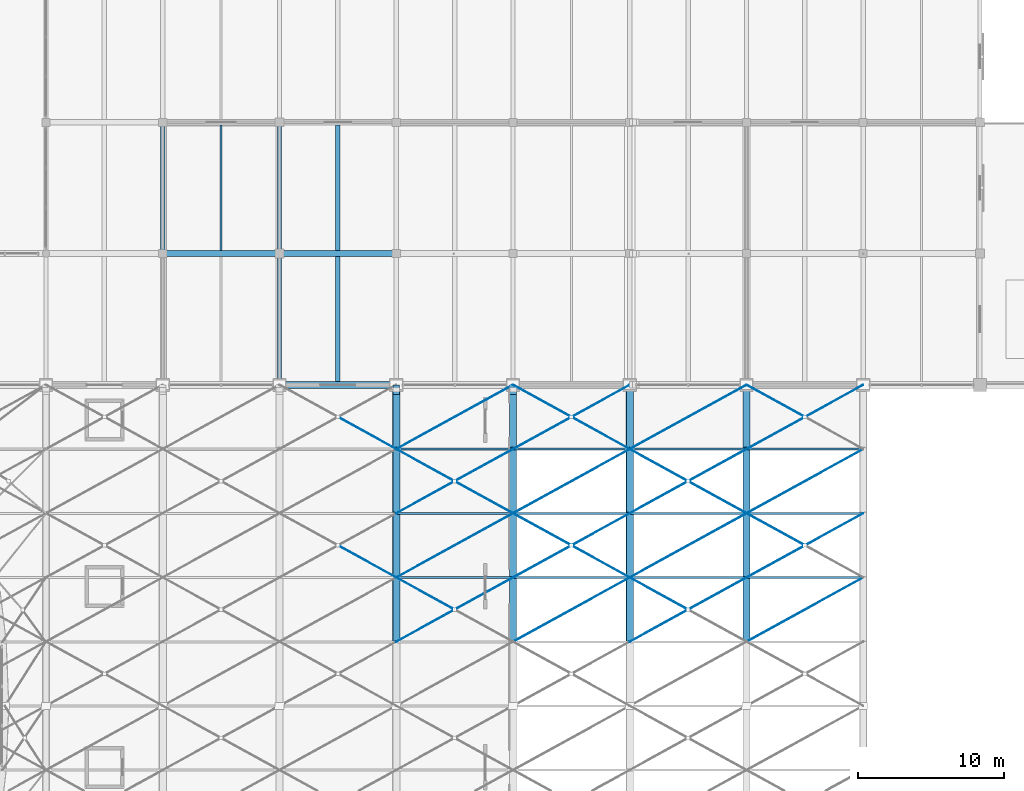
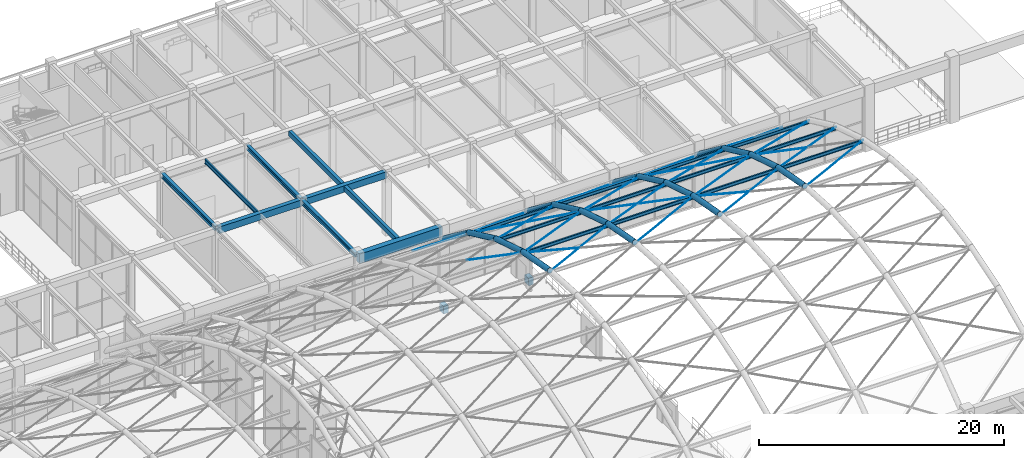
# One storey, part 84 of 163: 39 beams, 30 members.
"""IFC4 building model written with IfcOpenShell, lengths in metres."""

from ifc_helpers import new_model, si_unit, direction, frame, origin, origin_2d, place, context, subcontext, project, spatial, rectangle, circle, hollow_circle, i_section, extrude, material, material_profile, profile_set, type_object, element, save


model = new_model("IFC4")

# Units and contexts
model_context = context("Model", 3, precision=1e-05, world=origin(), true_north=direction((0.0, 1.0)))
body_context = subcontext(model_context, "Body", "Model", "MODEL_VIEW")
ifc_project = project(units=[si_unit("LENGTHUNIT", "METRE"), si_unit("AREAUNIT", "SQUARE_METRE"), si_unit("VOLUMEUNIT", "CUBIC_METRE"), si_unit("PLANEANGLEUNIT", "RADIAN"), si_unit("MASSUNIT", "GRAM", prefix="KILO")], contexts=[model_context])

# Site, building, storey
site_placement = place(None, origin())
site = spatial("IfcSite", under=ifc_project, at=site_placement, CompositionType="ELEMENT")
building_placement = place(site_placement, origin())
building = spatial("IfcBuilding", under=site, at=building_placement, Name="Varnabhumi Central Station", CompositionType="ELEMENT")
storey_placement = place(building_placement, frame((0.0, 0.0, 9.60009765625)))
storey = spatial("IfcBuildingStorey", under=building, at=storey_placement, Name="L02", CompositionType="ELEMENT", Elevation=9.60009765625)

# Beams
ifc_material_1 = material(Name="Structural steel E350", Category="steel")
ifc_material_profile_1 = material_profile(ifc_material_1, hollow_circle(Radius=0.25390625, WallThickness=0.02001953125, at=origin_2d()), Name="Structural steel E350", Category="steel")
ifc_profile_set_1 = profile_set([ifc_material_profile_1], Name="Structural steel E350")
beam_type_1 = type_object("IfcBeamType", Name="BM-ARCH-CHS508", PredefinedType="BEAM", material=ifc_profile_set_1)
beam_1_placement = place(storey_placement, frame((104.0, 62.39990234375, 12.486572265625), z_axis=(0.0, 0.983888247404, -0.17878455364), x_axis=(-1.0, 0.0, 0.0)))
element("IfcBeam", 1, at=beam_1_placement, inside=storey, type_object=beam_type_1, Name="Departure Concourse Vault Arch Rib 5 Seg 7", PredefinedType="BEAM", context=body_context, shape_type="SweptSolid", body=[
    extrude(hollow_circle(Radius=0.25390625, WallThickness=0.02001953125, at=origin_2d()), origin(), (0.0, 0.0, 1.0), 4.47216796875),
])
beam_2_placement = place(storey_placement, frame((104.0, 66.800048828125, 11.68701171875), z_axis=(0.0, 0.954719095828, -0.29750873611), x_axis=(-1.0, 0.0, 0.0)))
element("IfcBeam", 2, at=beam_2_placement, inside=storey, type_object=beam_type_1, Name="Departure Concourse Vault Arch Rib 5 Seg 8", PredefinedType="BEAM", context=body_context, shape_type="SweptSolid", body=[
    extrude(hollow_circle(Radius=0.25390625, WallThickness=0.02001953125, at=origin_2d()), origin(), (0.0, 0.0, 1.0), 4.608642578125),
])
beam_3_placement = place(storey_placement, frame((104.0, 71.199951171875, 10.31591796875), z_axis=(0.0, 0.906832494276, -0.421491194837), x_axis=(-1.0, 0.0, 0.0)))
element("IfcBeam", 3, at=beam_3_placement, inside=storey, type_object=beam_type_1, Name="Departure Concourse Vault Arch Rib 5 Seg 9", PredefinedType="BEAM", context=body_context, shape_type="SweptSolid", body=[
    extrude(hollow_circle(Radius=0.25390625, WallThickness=0.02001953125, at=origin_2d()), origin(), (0.0, 0.0, 1.0), 4.852294921875),
])
beam_4_placement = place(storey_placement, frame((104.0, 75.60009765625, 8.270751953125), z_axis=(0.0, 0.798178703242, -0.602420748058), x_axis=(-1.0, 0.0, 0.0)))
element("IfcBeam", 4, at=beam_4_placement, inside=storey, type_object=beam_type_1, Name="Departure Concourse Vault Arch Rib 5 Seg 10", PredefinedType="BEAM", context=body_context, shape_type="SweptSolid", body=[
    extrude(hollow_circle(Radius=0.25390625, WallThickness=0.02001953125, at=origin_2d()), origin(), (0.0, 0.0, 1.0), 5.512451171875),
])
beam_5_placement = place(storey_placement, frame((112.0, 62.39990234375, 12.486572265625), z_axis=(0.0, 0.983888247404, -0.17878455364), x_axis=(-1.0, 0.0, 0.0)))
element("IfcBeam", 5, at=beam_5_placement, inside=storey, type_object=beam_type_1, Name="Departure Concourse Vault Arch Rib 6 Seg 7", PredefinedType="BEAM", context=body_context, shape_type="SweptSolid", body=[
    extrude(hollow_circle(Radius=0.25390625, WallThickness=0.02001953125, at=origin_2d()), origin(), (0.0, 0.0, 1.0), 4.47216796875),
])
beam_6_placement = place(storey_placement, frame((112.0, 66.800048828125, 11.68701171875), z_axis=(0.0, 0.954719095828, -0.29750873611), x_axis=(-1.0, 0.0, 0.0)))
element("IfcBeam", 6, at=beam_6_placement, inside=storey, type_object=beam_type_1, Name="Departure Concourse Vault Arch Rib 6 Seg 8", PredefinedType="BEAM", context=body_context, shape_type="SweptSolid", body=[
    extrude(hollow_circle(Radius=0.25390625, WallThickness=0.02001953125, at=origin_2d()), origin(), (0.0, 0.0, 1.0), 4.608642578125),
])
beam_7_placement = place(storey_placement, frame((112.0, 71.199951171875, 10.31591796875), z_axis=(0.0, 0.906832494276, -0.421491194837), x_axis=(-1.0, 0.0, 0.0)))
element("IfcBeam", 7, at=beam_7_placement, inside=storey, type_object=beam_type_1, Name="Departure Concourse Vault Arch Rib 6 Seg 9", PredefinedType="BEAM", context=body_context, shape_type="SweptSolid", body=[
    extrude(hollow_circle(Radius=0.25390625, WallThickness=0.02001953125, at=origin_2d()), origin(), (0.0, 0.0, 1.0), 4.852294921875),
])
beam_8_placement = place(storey_placement, frame((112.0, 75.60009765625, 8.270751953125), z_axis=(0.0, 0.798178703242, -0.602420748058), x_axis=(-1.0, 0.0, 0.0)))
element("IfcBeam", 8, at=beam_8_placement, inside=storey, type_object=beam_type_1, Name="Departure Concourse Vault Arch Rib 6 Seg 10", PredefinedType="BEAM", context=body_context, shape_type="SweptSolid", body=[
    extrude(hollow_circle(Radius=0.25390625, WallThickness=0.02001953125, at=origin_2d()), origin(), (0.0, 0.0, 1.0), 5.512451171875),
])
beam_9_placement = place(storey_placement, frame((120.0, 62.39990234375, 12.486572265625), z_axis=(0.0, 0.983888247404, -0.17878455364), x_axis=(-1.0, 0.0, 0.0)))
element("IfcBeam", 9, at=beam_9_placement, inside=storey, type_object=beam_type_1, Name="Departure Concourse Vault Arch Rib 7 Seg 7", PredefinedType="BEAM", context=body_context, shape_type="SweptSolid", body=[
    extrude(hollow_circle(Radius=0.25390625, WallThickness=0.02001953125, at=origin_2d()), origin(), (0.0, 0.0, 1.0), 4.47216796875),
])
beam_10_placement = place(storey_placement, frame((120.0, 66.800048828125, 11.68701171875), z_axis=(0.0, 0.954719095828, -0.29750873611), x_axis=(-1.0, 0.0, 0.0)))
element("IfcBeam", 10, at=beam_10_placement, inside=storey, type_object=beam_type_1, Name="Departure Concourse Vault Arch Rib 7 Seg 8", PredefinedType="BEAM", context=body_context, shape_type="SweptSolid", body=[
    extrude(hollow_circle(Radius=0.25390625, WallThickness=0.02001953125, at=origin_2d()), origin(), (0.0, 0.0, 1.0), 4.608642578125),
])
beam_11_placement = place(storey_placement, frame((120.0, 71.199951171875, 10.31591796875), z_axis=(0.0, 0.906832494276, -0.421491194837), x_axis=(-1.0, 0.0, 0.0)))
element("IfcBeam", 11, at=beam_11_placement, inside=storey, type_object=beam_type_1, Name="Departure Concourse Vault Arch Rib 7 Seg 9", PredefinedType="BEAM", context=body_context, shape_type="SweptSolid", body=[
    extrude(hollow_circle(Radius=0.25390625, WallThickness=0.02001953125, at=origin_2d()), origin(), (0.0, 0.0, 1.0), 4.852294921875),
])
beam_12_placement = place(storey_placement, frame((120.0, 75.60009765625, 8.270751953125), z_axis=(0.0, 0.798178703242, -0.602420748058), x_axis=(-1.0, 0.0, 0.0)))
element("IfcBeam", 12, at=beam_12_placement, inside=storey, type_object=beam_type_1, Name="Departure Concourse Vault Arch Rib 7 Seg 10", PredefinedType="BEAM", context=body_context, shape_type="SweptSolid", body=[
    extrude(hollow_circle(Radius=0.25390625, WallThickness=0.02001953125, at=origin_2d()), origin(), (0.0, 0.0, 1.0), 5.512451171875),
])
beam_13_placement = place(storey_placement, frame((128.0, 62.39990234375, 12.486572265625), z_axis=(0.0, 0.983888247404, -0.17878455364), x_axis=(-1.0, 0.0, 0.0)))
element("IfcBeam", 13, at=beam_13_placement, inside=storey, type_object=beam_type_1, Name="Departure Concourse Vault Arch Rib 8 Seg 7", PredefinedType="BEAM", context=body_context, shape_type="SweptSolid", body=[
    extrude(hollow_circle(Radius=0.25390625, WallThickness=0.02001953125, at=origin_2d()), origin(), (0.0, 0.0, 1.0), 4.47216796875),
])
beam_14_placement = place(storey_placement, frame((128.0, 66.800048828125, 11.68701171875), z_axis=(0.0, 0.954719095828, -0.29750873611), x_axis=(-1.0, 0.0, 0.0)))
element("IfcBeam", 14, at=beam_14_placement, inside=storey, type_object=beam_type_1, Name="Departure Concourse Vault Arch Rib 8 Seg 8", PredefinedType="BEAM", context=body_context, shape_type="SweptSolid", body=[
    extrude(hollow_circle(Radius=0.25390625, WallThickness=0.02001953125, at=origin_2d()), origin(), (0.0, 0.0, 1.0), 4.608642578125),
])
beam_15_placement = place(storey_placement, frame((128.0, 71.199951171875, 10.31591796875), z_axis=(0.0, 0.906832494276, -0.421491194837), x_axis=(-1.0, 0.0, 0.0)))
element("IfcBeam", 15, at=beam_15_placement, inside=storey, type_object=beam_type_1, Name="Departure Concourse Vault Arch Rib 8 Seg 9", PredefinedType="BEAM", context=body_context, shape_type="SweptSolid", body=[
    extrude(hollow_circle(Radius=0.25390625, WallThickness=0.02001953125, at=origin_2d()), origin(), (0.0, 0.0, 1.0), 4.852294921875),
])
beam_16_placement = place(storey_placement, frame((128.0, 75.60009765625, 8.270751953125), z_axis=(0.0, 0.798178703242, -0.602420748058), x_axis=(-1.0, 0.0, 0.0)))
element("IfcBeam", 16, at=beam_16_placement, inside=storey, type_object=beam_type_1, Name="Departure Concourse Vault Arch Rib 8 Seg 10", PredefinedType="BEAM", context=body_context, shape_type="SweptSolid", body=[
    extrude(hollow_circle(Radius=0.25390625, WallThickness=0.02001953125, at=origin_2d()), origin(), (0.0, 0.0, 1.0), 5.512451171875),
])
ifc_material_profile_2 = material_profile(ifc_material_1, i_section(OverallWidth=0.14990234375, OverallDepth=0.449951171875, WebThickness=0.009521484375, FlangeThickness=0.017333984375, FilletRadius=0.014892578125, at=origin_2d()), Name="Structural steel E350", Category="steel")
ifc_profile_set_2 = profile_set([ifc_material_profile_2], Name="Structural steel E350")
beam_type_2 = type_object("IfcBeamType", Name="BM-JST-ISMB450", PredefinedType="JOIST", material=ifc_profile_set_2)
beam_17_placement = place(storey_placement, frame((92.0, 89.199951171875, 6.125), z_axis=(0.0, 1.0, 0.0), x_axis=(-1.0, 0.0, 0.0)))
element("IfcBeam", 17, at=beam_17_placement, inside=storey, type_object=beam_type_2, Name="Secondary Joist L02-12/13:L-M", PredefinedType="JOIST", context=body_context, shape_type="SweptSolid", body=[
    extrude(i_section(OverallWidth=0.14990234375, OverallDepth=0.449951171875, WebThickness=0.009521484375, FlangeThickness=0.017333984375, FilletRadius=0.014892578125, at=origin_2d()), origin(), (0.0, 0.0, 1.0), 8.60009765625),
])
ifc_material_profile_3 = material_profile(ifc_material_1, i_section(OverallWidth=0.139892578125, OverallDepth=0.35009765625, WebThickness=0.008056640625, FlangeThickness=0.01416015625, FilletRadius=0.013916015625, at=origin_2d()), Name="Structural steel E350", Category="steel")
ifc_profile_set_3 = profile_set([ifc_material_profile_3], Name="Structural steel E350")
beam_type_3 = type_object("IfcBeamType", Name="BM-PUR-ISMB350", PredefinedType="LINTEL", material=ifc_profile_set_3)
for number, where, z_axis, x_axis, name in (
    (18, (104.0, 66.800048828125, 11.511962890625), (1.0, 0.0, 0.0), (0.0, 1.0, 0.0), "Departure Concourse Vault Purlin B5-L7"),
    (19, (104.0, 71.199951171875, 10.140869140625), (1.0, 0.0, 0.0), (0.0, 1.0, 0.0), "Departure Concourse Vault Purlin B5-L8"),
    (20, (104.0, 75.60009765625, 8.095703125), (1.0, 0.0, 0.0), (0.0, 1.0, 0.0), "Departure Concourse Vault Purlin B5-L9"),
    (21, (112.0, 66.800048828125, 11.511962890625), (1.0, 0.0, 0.0), (0.0, 1.0, 0.0), "Departure Concourse Vault Purlin B6-L7"),
    (22, (112.0, 71.199951171875, 10.140869140625), (1.0, 0.0, 0.0), (0.0, 1.0, 0.0), "Departure Concourse Vault Purlin B6-L8"),
    (23, (112.0, 75.60009765625, 8.095703125), (1.0, 0.0, 0.0), (0.0, 1.0, 0.0), "Departure Concourse Vault Purlin B6-L9"),
    (24, (120.0, 66.800048828125, 11.511962890625), (1.0, 0.0, 0.0), (0.0, 1.0, 0.0), "Departure Concourse Vault Purlin B7-L7"),
    (25, (120.0, 71.199951171875, 10.140869140625), (1.0, 0.0, 0.0), (0.0, 1.0, 0.0), "Departure Concourse Vault Purlin B7-L8"),
    (26, (120.0, 75.60009765625, 8.095703125), (1.0, 0.0, 0.0), (0.0, 1.0, 0.0), "Departure Concourse Vault Purlin B7-L9"),
    (27, (128.0, 66.800048828125, 11.511962890625), (1.0, 0.0, 0.0), (0.0, 1.0, 0.0), "Departure Concourse Vault Purlin B8-L7"),
    (28, (128.0, 71.199951171875, 10.140869140625), (1.0, 0.0, 0.0), (0.0, 1.0, 0.0), "Departure Concourse Vault Purlin B8-L8"),
    (29, (128.0, 75.60009765625, 8.095703125), (1.0, 0.0, 0.0), (0.0, 1.0, 0.0), "Departure Concourse Vault Purlin B8-L9"),
):
    element("IfcBeam", number, at=place(storey_placement, frame(where, z_axis=z_axis, x_axis=x_axis)), inside=storey, type_object=beam_type_3, Name=name, PredefinedType="LINTEL", context=body_context, shape_type="SweptSolid", body=[
        extrude(i_section(OverallWidth=0.139892578125, OverallDepth=0.35009765625, WebThickness=0.008056640625, FlangeThickness=0.01416015625, FilletRadius=0.013916015625, at=origin_2d()), origin(), (0.0, 0.0, 1.0), 8.0),
    ])
ifc_material_2 = material(Name="Concrete M40", Category="concrete")
ifc_material_profile_4 = material_profile(ifc_material_2, rectangle(XDim=0.300048828125, YDim=0.5, at=origin_2d()), Name="Concrete M40", Category="concrete")
ifc_profile_set_4 = profile_set([ifc_material_profile_4], Name="Concrete M40")
beam_type_4 = type_object("IfcBeamType", Name="BM-RC-300x500", PredefinedType="JOIST", material=ifc_profile_set_4)
beam_18_placement = place(storey_placement, frame((100.0, 80.25, 6.099853515625), z_axis=(0.0, 1.0, 0.0), x_axis=(-1.0, 0.0, 0.0)))
element("IfcBeam", 30, at=beam_18_placement, inside=storey, type_object=beam_type_4, Name="Secondary Joist L02-13/14:K-L", PredefinedType="JOIST", context=body_context, shape_type="SweptSolid", body=[
    extrude(rectangle(XDim=0.300048828125, YDim=0.5, at=origin_2d()), origin(), (0.0, 0.0, 1.0), 8.550048828125),
])
beam_19_placement = place(storey_placement, frame((100.0, 89.199951171875, 6.099853515625), z_axis=(0.0, 1.0, 0.0), x_axis=(-1.0, 0.0, 0.0)))
element("IfcBeam", 31, at=beam_19_placement, inside=storey, type_object=beam_type_4, Name="Secondary Joist L02-13/14:L-M", PredefinedType="JOIST", context=body_context, shape_type="SweptSolid", body=[
    extrude(rectangle(XDim=0.300048828125, YDim=0.5, at=origin_2d()), origin(), (0.0, 0.0, 1.0), 8.60009765625),
])
ifc_material_profile_5 = material_profile(ifc_material_2, rectangle(XDim=0.39990234375, YDim=0.64990234375, at=origin_2d()), Name="Concrete M40", Category="concrete")
ifc_profile_set_5 = profile_set([ifc_material_profile_5], Name="Concrete M40")
beam_type_5 = type_object("IfcBeamType", Name="BM-RC-400x650", PredefinedType="BEAM", material=ifc_profile_set_5)
for number, where, z_axis, x_axis, name in (
    (32, (88.10009765625, 89.0, 6.02490234375), (1.0, 0.0, 0.0), (0.0, 1.0, 0.0), "Beam L02-L:12-13"),
    (33, (96.10009765625, 89.0, 6.02490234375), (1.0, 0.0, 0.0), (0.0, 1.0, 0.0), "Beam L02-L:13-14"),
):
    element("IfcBeam", number, at=place(storey_placement, frame(where, z_axis=z_axis, x_axis=x_axis)), inside=storey, type_object=beam_type_5, Name=name, PredefinedType="BEAM", context=body_context, shape_type="SweptSolid", body=[
        extrude(rectangle(XDim=0.39990234375, YDim=0.64990234375, at=origin_2d()), origin(), (0.0, 0.0, 1.0), 7.7998046875),
    ])
ifc_material_profile_6 = material_profile(ifc_material_2, rectangle(XDim=0.449951171875, YDim=0.75, at=origin_2d()), Name="Concrete M40", Category="concrete")
ifc_profile_set_6 = profile_set([ifc_material_profile_6], Name="Concrete M40")
beam_type_6 = type_object("IfcBeamType", Name="BM-RC-450x750", PredefinedType="BEAM", material=ifc_profile_set_6)
for number, where, z_axis, x_axis, name in (
    (34, (104.0, 80.0, -1.675048828125), (0.0, -1.0, 0.0), (1.0, 0.0, 0.0), "Concourse Bridge 650mm Corbel Seat 104-N"),
    (35, (112.0, 80.0, -1.675048828125), (0.0, -1.0, 0.0), (1.0, 0.0, 0.0), "Concourse Bridge 650mm Corbel Seat 112-N"),
):
    element("IfcBeam", number, at=place(storey_placement, frame(where, z_axis=z_axis, x_axis=x_axis)), inside=storey, type_object=beam_type_6, Name=name, PredefinedType="BEAM", context=body_context, shape_type="SweptSolid", body=[
        extrude(rectangle(XDim=0.449951171875, YDim=0.75, at=origin_2d()), origin(), (0.0, 0.0, 1.0), 0.64990234375),
    ])
ifc_material_profile_7 = material_profile(ifc_material_2, rectangle(XDim=0.5, YDim=0.949951171875, at=origin_2d()), Name="Concrete M40", Category="concrete")
ifc_profile_set_7 = profile_set([ifc_material_profile_7], Name="Concrete M40")
beam_type_7 = type_object("IfcBeamType", Name="BM-RC-950x500", PredefinedType="BEAM", material=ifc_profile_set_7)
beam_20_placement = place(storey_placement, frame((96.10009765625, 80.0, 5.875), z_axis=(1.0, 0.0, 0.0), x_axis=(0.0, 1.0, 0.0)))
element("IfcBeam", 36, at=beam_20_placement, inside=storey, type_object=beam_type_7, Name="Beam L02-K:13-14", PredefinedType="BEAM", context=body_context, shape_type="SweptSolid", body=[
    extrude(rectangle(XDim=0.5, YDim=0.949951171875, at=origin_2d()), origin(), (0.0, 0.0, 1.0), 7.7998046875),
])
ifc_material_profile_8 = material_profile(ifc_material_1, i_section(OverallWidth=0.300048828125, OverallDepth=0.449951171875, WebThickness=0.013916015625, FlangeThickness=0.02587890625, FilletRadius=0.027099609375, at=origin_2d()), Name="Structural steel E350", Category="steel")
ifc_profile_set_8 = profile_set([ifc_material_profile_8], Name="Structural steel E350")
beam_type_8 = type_object("IfcBeamType", Name="BM-STL-WPB450", PredefinedType="BEAM", material=ifc_profile_set_8)
for number, where, z_axis, x_axis, name in (
    (37, (96.0, 80.10009765625, 6.125), (0.0, 1.0, 0.0), (-1.0, 0.0, 0.0), "Beam L02-13:K-L"),
    (38, (88.0, 89.10009765625, 6.125), (0.0, 1.0, 0.0), (-1.0, 0.0, 0.0), "Beam L02-12:L-M"),
    (39, (96.0, 89.10009765625, 6.125), (0.0, 1.0, 0.0), (-1.0, 0.0, 0.0), "Beam L02-13:L-M"),
):
    element("IfcBeam", number, at=place(storey_placement, frame(where, z_axis=z_axis, x_axis=x_axis)), inside=storey, type_object=beam_type_8, Name=name, PredefinedType="BEAM", context=body_context, shape_type="SweptSolid", body=[
        extrude(i_section(OverallWidth=0.300048828125, OverallDepth=0.449951171875, WebThickness=0.013916015625, FlangeThickness=0.02587890625, FilletRadius=0.027099609375, at=origin_2d()), origin(), (0.0, 0.0, 1.0), 8.7998046875),
    ])

# Members
ifc_material_3 = material(Name="Spiral-strand steel S1570", Category="steel")
ifc_material_profile_9 = material_profile(ifc_material_3, circle(Radius=0.027099609375, at=origin_2d()), Name="Spiral-strand steel S1570", Category="steel")
ifc_profile_set_9 = profile_set([ifc_material_profile_9], Name="Spiral-strand steel S1570")
member_type = type_object("IfcMemberType", Name="MBR-CABLE-D54", PredefinedType="USERDEFINED", material=ifc_profile_set_9)
member_1_placement = place(storey_placement, frame((100.0, 69.0, 10.92138671875), z_axis=(0.866504286303, -0.476566780022, 0.148507326412), x_axis=(0.481910537812, 0.876220425204, 0.0)))
element("IfcMember", 40, at=member_1_placement, inside=storey, type_object=member_type, Name="Departure Concourse Vault Cable-Net Split Tie B4-P8B2", ObjectType="TENSION CABLE", PredefinedType="USERDEFINED", context=body_context, shape_type="SweptSolid", body=[
    extrude(circle(Radius=0.027099609375, at=origin_2d()), origin(), (0.0, 0.0, 1.0), 4.6162109375),
])
member_2_placement = place(storey_placement, frame((100.0, 77.800048828125, 6.5302734375), z_axis=(0.823430141181, -0.452876526012, 0.341856190205), x_axis=(0.481910537812, 0.876220425204, 0.0)))
element("IfcMember", 41, at=member_2_placement, inside=storey, type_object=member_type, Name="Departure Concourse Vault Cable-Net Split Tie B4-P10B2", ObjectType="TENSION CABLE", PredefinedType="USERDEFINED", context=body_context, shape_type="SweptSolid", body=[
    extrude(circle(Radius=0.027099609375, at=origin_2d()), origin(), (0.0, 0.0, 1.0), 4.857666015625),
])
member_3_placement = place(storey_placement, frame((104.0, 62.39990234375, 12.406494140625), z_axis=(0.872868515511, 0.480093666231, -0.087238903451), x_axis=(-0.481931067474, 0.876209133828, 0.0)))
element("IfcMember", 42, at=member_3_placement, inside=storey, type_object=member_type, Name="Departure Concourse Vault Cable-Net Tie B5-P7A", ObjectType="TENSION CABLE", PredefinedType="USERDEFINED", context=body_context, shape_type="SweptSolid", body=[
    extrude(circle(Radius=0.027099609375, at=origin_2d()), origin(), (0.0, 0.0, 1.0), 9.165283203125),
])
member_4_placement = place(storey_placement, frame((104.0, 66.800048828125, 11.60693359375), z_axis=(0.872877649429, -0.480072051941, 0.087266454453), x_axis=(0.481910537812, 0.876220425204, 0.0)))
element("IfcMember", 43, at=member_4_placement, inside=storey, type_object=member_type, Name="Departure Concourse Vault Cable-Net Split Tie B5-P7B1", ObjectType="TENSION CABLE", PredefinedType="USERDEFINED", context=body_context, shape_type="SweptSolid", body=[
    extrude(circle(Radius=0.027099609375, at=origin_2d()), origin(), (0.0, 0.0, 1.0), 4.58251953125),
])
member_5_placement = place(storey_placement, frame((104.0, 66.800048828125, 11.60693359375), z_axis=(0.866504286303, 0.476566780022, -0.148507326412), x_axis=(-0.481910537812, 0.876220425204, 0.0)))
element("IfcMember", 44, at=member_5_placement, inside=storey, type_object=member_type, Name="Departure Concourse Vault Cable-Net Tie B5-P8A", ObjectType="TENSION CABLE", PredefinedType="USERDEFINED", context=body_context, shape_type="SweptSolid", body=[
    extrude(circle(Radius=0.027099609375, at=origin_2d()), origin(), (0.0, 0.0, 1.0), 9.232421875),
])
member_6_placement = place(storey_placement, frame((104.0, 71.199951171875, 10.23583984375), z_axis=(0.855025934416, 0.470279919921, -0.218557654623), x_axis=(-0.481931067474, 0.876209133828, 0.0)))
element("IfcMember", 45, at=member_6_placement, inside=storey, type_object=member_type, Name="Departure Concourse Vault Cable-Net Tie B5-P9A", ObjectType="TENSION CABLE", PredefinedType="USERDEFINED", context=body_context, shape_type="SweptSolid", body=[
    extrude(circle(Radius=0.027099609375, at=origin_2d()), origin(), (0.0, 0.0, 1.0), 9.3564453125),
])
for number, where, z_axis, x_axis, name in (
    (46, (104.0, 75.60009765625, 8.19091796875), (0.855015442154, -0.470300241986, 0.218554972641), (0.481951596342, 0.876197842262, 0.0), "Departure Concourse Vault Cable-Net Split Tie B5-P9B1"),
    (47, (108.0, 73.39990234375, 9.21337890625), (0.855036426483, -0.470259597109, 0.218560336554), (0.481910537812, 0.876220425204, 0.0), "Departure Concourse Vault Cable-Net Split Tie B5-P9B2"),
):
    element("IfcMember", number, at=place(storey_placement, frame(where, z_axis=z_axis, x_axis=x_axis)), inside=storey, type_object=member_type, Name=name, ObjectType="TENSION CABLE", PredefinedType="USERDEFINED", context=body_context, shape_type="SweptSolid", body=[
        extrude(circle(Radius=0.027099609375, at=origin_2d()), origin(), (0.0, 0.0, 1.0), 4.67822265625),
    ])
member_7_placement = place(storey_placement, frame((104.0, 75.60009765625, 8.19091796875), z_axis=(0.823437214719, 0.452880416372, -0.341833997553), x_axis=(-0.481910537812, 0.876220425204, 0.0)))
element("IfcMember", 48, at=member_7_placement, inside=storey, type_object=member_type, Name="Departure Concourse Vault Cable-Net Tie B5-P10A", ObjectType="TENSION CABLE", PredefinedType="USERDEFINED", context=body_context, shape_type="SweptSolid", body=[
    extrude(circle(Radius=0.027099609375, at=origin_2d()), origin(), (0.0, 0.0, 1.0), 9.71533203125),
])
member_8_placement = place(storey_placement, frame((112.0, 62.39990234375, 12.406494140625), z_axis=(0.872868515511, 0.480093666231, -0.087238903451), x_axis=(-0.481931067474, 0.876209133828, 0.0)))
element("IfcMember", 49, at=member_8_placement, inside=storey, type_object=member_type, Name="Departure Concourse Vault Cable-Net Tie B6-P7A", ObjectType="TENSION CABLE", PredefinedType="USERDEFINED", context=body_context, shape_type="SweptSolid", body=[
    extrude(circle(Radius=0.027099609375, at=origin_2d()), origin(), (0.0, 0.0, 1.0), 9.165283203125),
])
member_9_placement = place(storey_placement, frame((112.0, 66.800048828125, 11.60693359375), z_axis=(0.866504286303, 0.476566780022, -0.148507326412), x_axis=(-0.481910537812, 0.876220425204, 0.0)))
element("IfcMember", 50, at=member_9_placement, inside=storey, type_object=member_type, Name="Departure Concourse Vault Cable-Net Tie B6-P8A", ObjectType="TENSION CABLE", PredefinedType="USERDEFINED", context=body_context, shape_type="SweptSolid", body=[
    extrude(circle(Radius=0.027099609375, at=origin_2d()), origin(), (0.0, 0.0, 1.0), 9.232421875),
])
for number, where, z_axis, x_axis, name in (
    (51, (112.0, 71.199951171875, 10.23583984375), (0.866504286303, -0.476566780022, 0.148507326412), (0.481910537812, 0.876220425204, 0.0), "Departure Concourse Vault Cable-Net Split Tie B6-P8B1"),
    (52, (116.0, 69.0, 10.92138671875), (0.866504286303, -0.476566780022, 0.148507326412), (0.481910537812, 0.876220425204, 0.0), "Departure Concourse Vault Cable-Net Split Tie B6-P8B2"),
):
    element("IfcMember", number, at=place(storey_placement, frame(where, z_axis=z_axis, x_axis=x_axis)), inside=storey, type_object=member_type, Name=name, ObjectType="TENSION CABLE", PredefinedType="USERDEFINED", context=body_context, shape_type="SweptSolid", body=[
        extrude(circle(Radius=0.027099609375, at=origin_2d()), origin(), (0.0, 0.0, 1.0), 4.6162109375),
    ])
member_10_placement = place(storey_placement, frame((112.0, 71.199951171875, 10.23583984375), z_axis=(0.855025934416, 0.470279919921, -0.218557654623), x_axis=(-0.481931067474, 0.876209133828, 0.0)))
element("IfcMember", 53, at=member_10_placement, inside=storey, type_object=member_type, Name="Departure Concourse Vault Cable-Net Tie B6-P9A", ObjectType="TENSION CABLE", PredefinedType="USERDEFINED", context=body_context, shape_type="SweptSolid", body=[
    extrude(circle(Radius=0.027099609375, at=origin_2d()), origin(), (0.0, 0.0, 1.0), 9.3564453125),
])
member_11_placement = place(storey_placement, frame((112.0, 75.60009765625, 8.19091796875), z_axis=(0.823437214719, 0.452880416372, -0.341833997553), x_axis=(-0.481910537812, 0.876220425204, 0.0)))
element("IfcMember", 54, at=member_11_placement, inside=storey, type_object=member_type, Name="Departure Concourse Vault Cable-Net Tie B6-P10A", ObjectType="TENSION CABLE", PredefinedType="USERDEFINED", context=body_context, shape_type="SweptSolid", body=[
    extrude(circle(Radius=0.027099609375, at=origin_2d()), origin(), (0.0, 0.0, 1.0), 9.71533203125),
])
for number, where, z_axis, x_axis, name in (
    (55, (112.0, 80.0, 4.869873046875), (0.823444287919, -0.452884306545, 0.34181180433), (0.481910537812, 0.876220425204, 0.0), "Departure Concourse Vault Cable-Net Split Tie B6-P10B1"),
    (56, (116.0, 77.800048828125, 6.5302734375), (0.823430141181, -0.452876526012, 0.341856190205), (0.481910537812, 0.876220425204, 0.0), "Departure Concourse Vault Cable-Net Split Tie B6-P10B2"),
):
    element("IfcMember", number, at=place(storey_placement, frame(where, z_axis=z_axis, x_axis=x_axis)), inside=storey, type_object=member_type, Name=name, ObjectType="TENSION CABLE", PredefinedType="USERDEFINED", context=body_context, shape_type="SweptSolid", body=[
        extrude(circle(Radius=0.027099609375, at=origin_2d()), origin(), (0.0, 0.0, 1.0), 4.857666015625),
    ])
member_12_placement = place(storey_placement, frame((120.0, 62.39990234375, 12.406494140625), z_axis=(0.872868515511, 0.480093666231, -0.087238903451), x_axis=(-0.481931067474, 0.876209133828, 0.0)))
element("IfcMember", 57, at=member_12_placement, inside=storey, type_object=member_type, Name="Departure Concourse Vault Cable-Net Tie B7-P7A", ObjectType="TENSION CABLE", PredefinedType="USERDEFINED", context=body_context, shape_type="SweptSolid", body=[
    extrude(circle(Radius=0.027099609375, at=origin_2d()), origin(), (0.0, 0.0, 1.0), 9.165283203125),
])
member_13_placement = place(storey_placement, frame((120.0, 66.800048828125, 11.60693359375), z_axis=(0.872877649429, -0.480072051941, 0.087266454453), x_axis=(0.481910537812, 0.876220425204, 0.0)))
element("IfcMember", 58, at=member_13_placement, inside=storey, type_object=member_type, Name="Departure Concourse Vault Cable-Net Split Tie B7-P7B1", ObjectType="TENSION CABLE", PredefinedType="USERDEFINED", context=body_context, shape_type="SweptSolid", body=[
    extrude(circle(Radius=0.027099609375, at=origin_2d()), origin(), (0.0, 0.0, 1.0), 4.58251953125),
])
member_14_placement = place(storey_placement, frame((120.0, 66.800048828125, 11.60693359375), z_axis=(0.866504286303, 0.476566780022, -0.148507326412), x_axis=(-0.481910537812, 0.876220425204, 0.0)))
element("IfcMember", 59, at=member_14_placement, inside=storey, type_object=member_type, Name="Departure Concourse Vault Cable-Net Tie B7-P8A", ObjectType="TENSION CABLE", PredefinedType="USERDEFINED", context=body_context, shape_type="SweptSolid", body=[
    extrude(circle(Radius=0.027099609375, at=origin_2d()), origin(), (0.0, 0.0, 1.0), 9.232421875),
])
member_15_placement = place(storey_placement, frame((120.0, 71.199951171875, 10.23583984375), z_axis=(0.855025934416, 0.470279919921, -0.218557654623), x_axis=(-0.481931067474, 0.876209133828, 0.0)))
element("IfcMember", 60, at=member_15_placement, inside=storey, type_object=member_type, Name="Departure Concourse Vault Cable-Net Tie B7-P9A", ObjectType="TENSION CABLE", PredefinedType="USERDEFINED", context=body_context, shape_type="SweptSolid", body=[
    extrude(circle(Radius=0.027099609375, at=origin_2d()), origin(), (0.0, 0.0, 1.0), 9.3564453125),
])
for number, where, z_axis, x_axis, name in (
    (61, (120.0, 75.60009765625, 8.19091796875), (0.855015442154, -0.470300241986, 0.218554972641), (0.481951596342, 0.876197842262, 0.0), "Departure Concourse Vault Cable-Net Split Tie B7-P9B1"),
    (62, (124.0, 73.39990234375, 9.21337890625), (0.855036426483, -0.470259597109, 0.218560336554), (0.481910537812, 0.876220425204, 0.0), "Departure Concourse Vault Cable-Net Split Tie B7-P9B2"),
):
    element("IfcMember", number, at=place(storey_placement, frame(where, z_axis=z_axis, x_axis=x_axis)), inside=storey, type_object=member_type, Name=name, ObjectType="TENSION CABLE", PredefinedType="USERDEFINED", context=body_context, shape_type="SweptSolid", body=[
        extrude(circle(Radius=0.027099609375, at=origin_2d()), origin(), (0.0, 0.0, 1.0), 4.67822265625),
    ])
member_16_placement = place(storey_placement, frame((120.0, 75.60009765625, 8.19091796875), z_axis=(0.823437214719, 0.452880416372, -0.341833997553), x_axis=(-0.481910537812, 0.876220425204, 0.0)))
element("IfcMember", 63, at=member_16_placement, inside=storey, type_object=member_type, Name="Departure Concourse Vault Cable-Net Tie B7-P10A", ObjectType="TENSION CABLE", PredefinedType="USERDEFINED", context=body_context, shape_type="SweptSolid", body=[
    extrude(circle(Radius=0.027099609375, at=origin_2d()), origin(), (0.0, 0.0, 1.0), 9.71533203125),
])
member_17_placement = place(storey_placement, frame((128.0, 62.39990234375, 12.406494140625), z_axis=(0.872868515511, 0.480093666231, -0.087238903451), x_axis=(-0.481931067474, 0.876209133828, 0.0)))
element("IfcMember", 64, at=member_17_placement, inside=storey, type_object=member_type, Name="Departure Concourse Vault Cable-Net Tie B8-P7A", ObjectType="TENSION CABLE", PredefinedType="USERDEFINED", context=body_context, shape_type="SweptSolid", body=[
    extrude(circle(Radius=0.027099609375, at=origin_2d()), origin(), (0.0, 0.0, 1.0), 9.165283203125),
])
member_18_placement = place(storey_placement, frame((128.0, 66.800048828125, 11.60693359375), z_axis=(0.866504286303, 0.476566780022, -0.148507326412), x_axis=(-0.481910537812, 0.876220425204, 0.0)))
element("IfcMember", 65, at=member_18_placement, inside=storey, type_object=member_type, Name="Departure Concourse Vault Cable-Net Tie B8-P8A", ObjectType="TENSION CABLE", PredefinedType="USERDEFINED", context=body_context, shape_type="SweptSolid", body=[
    extrude(circle(Radius=0.027099609375, at=origin_2d()), origin(), (0.0, 0.0, 1.0), 9.232421875),
])
member_19_placement = place(storey_placement, frame((128.0, 71.199951171875, 10.23583984375), z_axis=(0.866504286303, -0.476566780022, 0.148507326412), x_axis=(0.481910537812, 0.876220425204, 0.0)))
element("IfcMember", 66, at=member_19_placement, inside=storey, type_object=member_type, Name="Departure Concourse Vault Cable-Net Split Tie B8-P8B1", ObjectType="TENSION CABLE", PredefinedType="USERDEFINED", context=body_context, shape_type="SweptSolid", body=[
    extrude(circle(Radius=0.027099609375, at=origin_2d()), origin(), (0.0, 0.0, 1.0), 4.6162109375),
])
member_20_placement = place(storey_placement, frame((128.0, 71.199951171875, 10.23583984375), z_axis=(0.855025934416, 0.470279919921, -0.218557654623), x_axis=(-0.481931067474, 0.876209133828, 0.0)))
element("IfcMember", 67, at=member_20_placement, inside=storey, type_object=member_type, Name="Departure Concourse Vault Cable-Net Tie B8-P9A", ObjectType="TENSION CABLE", PredefinedType="USERDEFINED", context=body_context, shape_type="SweptSolid", body=[
    extrude(circle(Radius=0.027099609375, at=origin_2d()), origin(), (0.0, 0.0, 1.0), 9.3564453125),
])
member_21_placement = place(storey_placement, frame((128.0, 75.60009765625, 8.19091796875), z_axis=(0.823437214719, 0.452880416372, -0.341833997553), x_axis=(-0.481910537812, 0.876220425204, 0.0)))
element("IfcMember", 68, at=member_21_placement, inside=storey, type_object=member_type, Name="Departure Concourse Vault Cable-Net Tie B8-P10A", ObjectType="TENSION CABLE", PredefinedType="USERDEFINED", context=body_context, shape_type="SweptSolid", body=[
    extrude(circle(Radius=0.027099609375, at=origin_2d()), origin(), (0.0, 0.0, 1.0), 9.71533203125),
])
member_22_placement = place(storey_placement, frame((128.0, 80.0, 4.869873046875), z_axis=(0.823444287919, -0.452884306545, 0.34181180433), x_axis=(0.481910537812, 0.876220425204, 0.0)))
element("IfcMember", 69, at=member_22_placement, inside=storey, type_object=member_type, Name="Departure Concourse Vault Cable-Net Split Tie B8-P10B1", ObjectType="TENSION CABLE", PredefinedType="USERDEFINED", context=body_context, shape_type="SweptSolid", body=[
    extrude(circle(Radius=0.027099609375, at=origin_2d()), origin(), (0.0, 0.0, 1.0), 4.857666015625),
])

save(model, "model.ifc")
